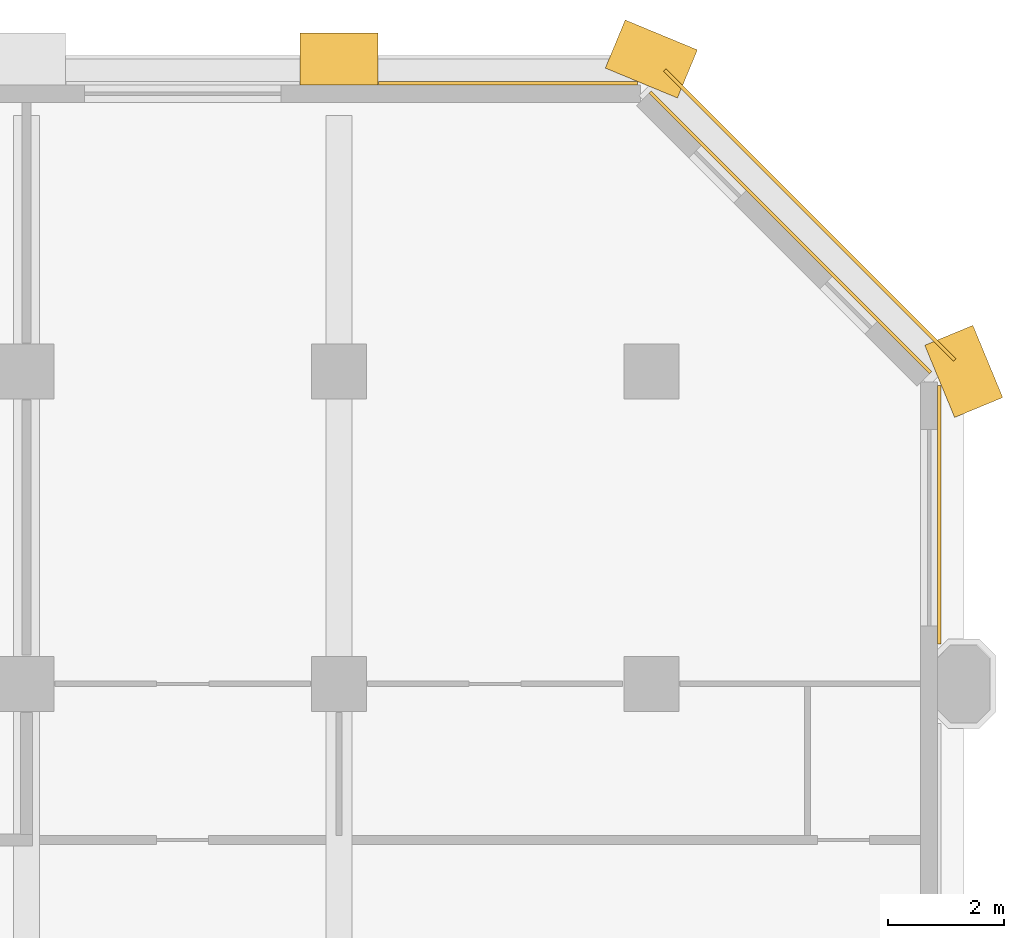
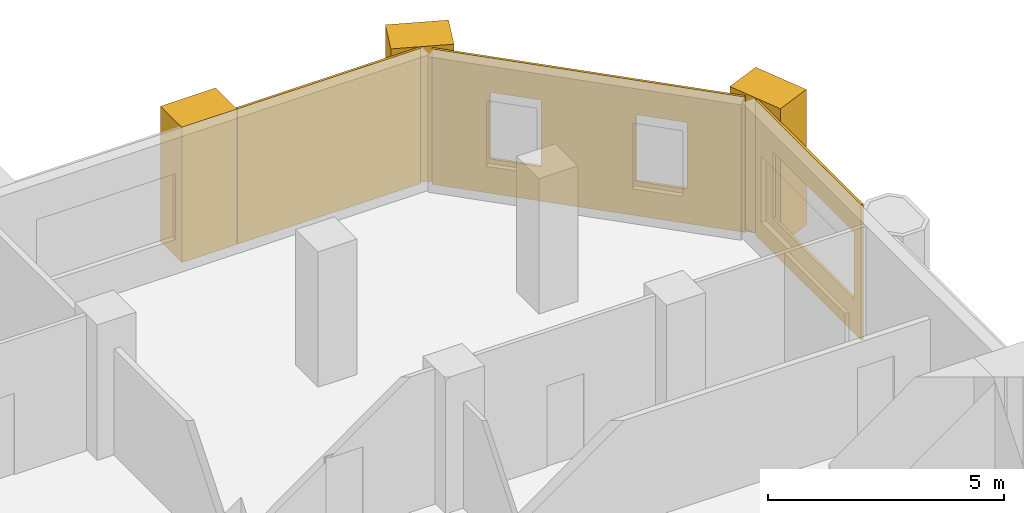
# One storey, part 13 of 13: 7 coverings.
"""IFC4 building model written with IfcOpenShell, lengths in metres."""

from ifc_helpers import new_model, si_unit, direction, frame, frame_2d, origin, place, context, subcontext, project, spatial, polyline, rectangle, outline, extrude, material, layer, layer_set, type_object, element, save


model = new_model("IFC4")

# Units and contexts
model_context = context("Model", 3, precision=1e-05, world=origin(), true_north=direction((0.0, 1.0)))
body_context = subcontext(model_context, "Body", "Model", "MODEL_VIEW")
ifc_project = project(units=[si_unit("LENGTHUNIT", "METRE"), si_unit("AREAUNIT", "SQUARE_METRE"), si_unit("VOLUMEUNIT", "CUBIC_METRE"), si_unit("PLANEANGLEUNIT", "RADIAN"), si_unit("MASSUNIT", "GRAM", prefix="KILO")], contexts=[model_context])

# Site, building, storey
site_placement = place(None, origin())
site = spatial("IfcSite", under=ifc_project, at=site_placement, CompositionType="ELEMENT")
building_placement = place(site_placement, origin())
building = spatial("IfcBuilding", under=site, at=building_placement, Name="Tabaq Tower and Sports Hall", CompositionType="ELEMENT")
storey_placement = place(building_placement, frame((0.0, 0.0, 106.800048828125)))
storey = spatial("IfcBuildingStorey", under=building, at=storey_placement, Name="L25", CompositionType="ELEMENT", Elevation=106.800048828125)

# Coverings
ifc_material_1 = material(Name="Precast concrete C60/75", Category="concrete")
ifc_layer_1 = layer(ifc_material_1, 0.06005859375)
ifc_layer_set_1 = layer_set([ifc_layer_1], Name="Edge beam cladding 60")
covering_type_1 = type_object("IfcCoveringType", Name="Edge beam cladding 60", PredefinedType="CLADDING", material=ifc_layer_set_1)
covering_1_placement = place(storey_placement, frame((43.04443359375, 43.39794921875, -0.300048828125), z_axis=(0.0, 0.0, 1.0), x_axis=(-0.707106781187, 0.707106781187, 0.0)))
element("IfcCovering", 1, at=covering_1_placement, inside=storey, type_object=covering_type_1, Name="Edge beam cladding L25 1", PredefinedType="CLADDING", context=body_context, shape_type="SweptSolid", body=[
    extrude(rectangle(XDim=7.08837890625, YDim=0.06005859375, at=frame_2d((3.544189453125, 0.0))), origin(), (0.0, 0.0, 1.0), 0.300048828125),
])
ifc_material_2 = material(Name="White precast concrete C60/75", Category="concrete")
covering_type_2 = type_object("IfcCoveringType", Name="Pier cladding hung 1350x900", PredefinedType="CLADDING", material=ifc_material_2)
covering_2_placement = place(storey_placement, frame((33.074951171875, 48.60009765625, 0.0), z_axis=(0.0, 0.0, 1.0), x_axis=(-1.0, 0.0, 0.0)))
element("IfcCovering", 2, at=covering_2_placement, inside=storey, type_object=covering_type_2, Name="Hung pier cladding 6/9", PredefinedType="CLADDING", context=body_context, shape_type="SweptSolid", body=[
    extrude(rectangle(XDim=1.349853515625, YDim=0.89990234375, at=frame_2d((0.6748046875, 0.0))), origin(), (0.0, 0.0, 1.0), 3.5),
])
for number, where, z_axis, x_axis, name in (
    (3, (38.423583984375, 48.341796875, 0.0), (0.0, 0.0, 1.0), (-0.923893411637, 0.382649923473, 0.0), "Hung pier cladding 7/9"),
    (4, (43.458251953125, 42.576416015625, 0.0), (0.0, 0.0, 1.0), (-0.382649923473, 0.923893411637, 0.0), "Hung pier cladding 8/8"),
):
    element("IfcCovering", number, at=place(storey_placement, frame(where, z_axis=z_axis, x_axis=x_axis)), inside=storey, type_object=covering_type_2, Name=name, PredefinedType="CLADDING", context=body_context, shape_type="SweptSolid", body=[
        extrude(rectangle(XDim=1.35009765625, YDim=0.89990234375, at=frame_2d((0.675048828125, 0.0))), origin(), (0.0, 0.0, 1.0), 3.5),
    ])
ifc_material_3 = material(Name="Precast concrete C60/75", Category="concrete")
ifc_layer_2 = layer(ifc_material_3, 0.06005859375)
ifc_layer_set_2 = layer_set([ifc_layer_2], Name="White precast cladding panel 60 C60/75")
covering_type_3 = type_object("IfcCoveringType", Name="White precast cladding panel 60 C60/75", PredefinedType="CLADDING", material=ifc_layer_set_2)
covering_3_placement = place(storey_placement, frame((42.780029296875, 38.485107421875, 0.0), z_axis=(0.0, 0.0, 1.0), x_axis=(0.0, 1.0, 0.0)))
element("IfcCovering", 5, at=covering_3_placement, inside=storey, type_object=covering_type_3, Name="White precast cladding panel L25 wall02-1 2", PredefinedType="CLADDING", context=body_context, shape_type="SweptSolid", body=[
    extrude(outline(polyline([(0.0, 0.0), (4.4716796875, 0.0), (4.4716796875, 3.5), (0.0, 3.5), (0.0, 0.0)]), holes=[polyline([(0.304931640625, 0.889892578125), (0.304931640625, 2.60986328125), (3.72509765625, 2.60986328125), (3.72509765625, 0.889892578125), (0.304931640625, 0.889892578125)])]), frame((0.0, 0.030029296875, 0.0), z_axis=(0.0, -1.0, 0.0), x_axis=(1.0, 0.0, 0.0)), (0.0, 0.0, 1.0), 0.06005859375),
])
covering_4_placement = place(storey_placement, frame((42.628173828125, 43.177734375, 0.0), z_axis=(0.0, 0.0, 1.0), x_axis=(-0.707088985397, 0.707124576528, 0.0)))
element("IfcCovering", 6, at=covering_4_placement, inside=storey, type_object=covering_type_3, Name="White precast cladding panel L25 wall03", PredefinedType="CLADDING", context=body_context, shape_type="SweptSolid", body=[
    extrude(outline(polyline([(0.0, 0.0), (6.859619140625, 0.0), (6.859619140625, 3.5), (0.0, 3.5), (0.0, 0.0)]), holes=[polyline([(1.269775390625, 2.60986328125), (2.389892578125, 2.60986328125), (2.389892578125, 0.889892578125), (1.269775390625, 0.889892578125), (1.269775390625, 2.60986328125)]), polyline([(4.4697265625, 2.60986328125), (5.58984375, 2.60986328125), (5.58984375, 0.889892578125), (4.4697265625, 0.889892578125), (4.4697265625, 2.60986328125)])]), frame((0.0, 0.030029296875, 0.0), z_axis=(0.0, -1.0, 0.0), x_axis=(1.0, 0.0, 0.0)), (0.0, 0.0, 1.0), 0.06005859375),
])
covering_5_placement = place(storey_placement, frame((37.556884765625, 48.179931640625, 0.0), z_axis=(0.0, 0.0, 1.0), x_axis=(-1.0, 0.0, 0.0)))
element("IfcCovering", 7, at=covering_5_placement, inside=storey, type_object=covering_type_3, Name="White precast cladding panel L25 wall04", PredefinedType="CLADDING", context=body_context, shape_type="SweptSolid", body=[
    extrude(rectangle(XDim=4.471923828125, YDim=0.06005859375, at=frame_2d((2.23583984375, 0.0))), origin(), (0.0, 0.0, 1.0), 3.5),
])

save(model, "model.ifc")
